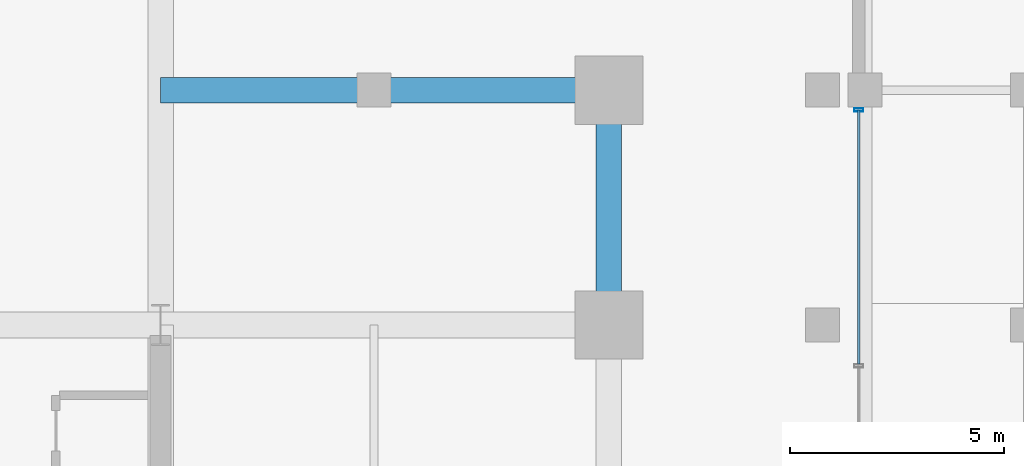
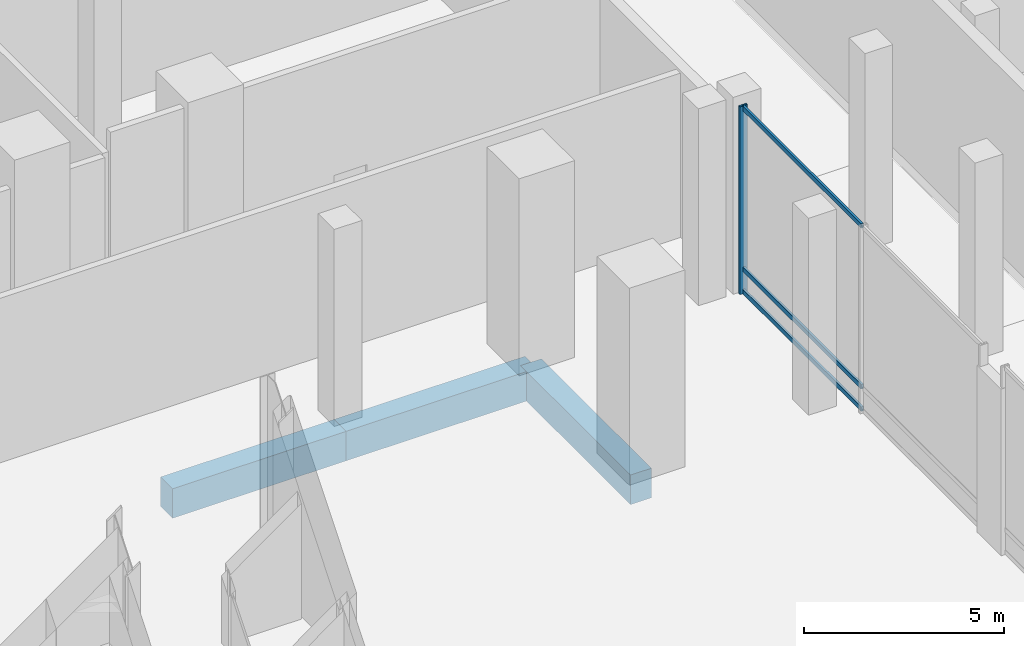
# One storey, part 18 of 34: 4 members, 3 beams, 1 element without a shape of its own.
"""IFC4 building model written with IfcOpenShell, lengths in metres."""

import ifcopenshell
import ifcopenshell.guid

model = None  # the IFC model being written
_history = None  # IfcOwnerHistory: only IFC2X3 demands one
_inside = {}  # id of a spatial element -> (the spatial element, [elements in it])
_under = {}  # id of a project, library or spatial element -> (it, [spatial elements below it])
_declared = {}  # id of a project -> (the project, [libraries it declares])
_typed = {}  # id of a type object -> (the type object, [elements of that type])
_made_of = {}  # id of a material, layer set ... -> (it, [elements and type objects made of it])


def new_model(schema):
    """Start an empty IFC model of exactly this schema.

    Asked for "IFC4X3", IfcOpenShell would pick the latest addendum, in which some entities
    have other attributes; the version numbers below select the first issue.
    IFC2X3 requires an IfcOwnerHistory on every rooted entity: one is made here for all.
    """
    global model, _history
    if schema == "IFC4X3":
        model = ifcopenshell.file(schema_version=(4, 3, 0, 0))
    else:
        model = ifcopenshell.file(schema=schema)
    _inside.clear()
    _under.clear()
    _declared.clear()
    _typed.clear()
    _made_of.clear()
    _history = None
    if model.schema == "IFC2X3":
        org = make("IfcOrganization", Name="unknown")
        user = make(
            "IfcPersonAndOrganization",
            ThePerson=make("IfcPerson", FamilyName="unknown"),
            TheOrganization=org,
        )
        app = make(
            "IfcApplication",
            ApplicationDeveloper=org,
            Version="unknown",
            ApplicationFullName="unknown",
            ApplicationIdentifier="unknown",
        )
        _history = make(
            "IfcOwnerHistory",
            OwningUser=user,
            OwningApplication=app,
            ChangeAction="ADDED",
            CreationDate=0,
        )
    return model


def make(cls, **values):
    """One entity of the class cls with the attributes given. An attribute that is None is left unset."""
    return model.create_entity(
        cls, **{name: value for name, value in values.items() if value is not None}
    )


def rooted(cls, **values):
    """An entity with a GlobalId (a new one), such as an element, a storey or a relation."""
    return make(cls, GlobalId=ifcopenshell.guid.new(), OwnerHistory=_history, **values)


def si_unit(unit_type, name, prefix=None):
    """IfcSIUnit, for example si_unit("LENGTHUNIT", "METRE", prefix="MILLI")."""
    return make("IfcSIUnit", UnitType=unit_type, Prefix=prefix, Name=name)


def assignment(units):
    """IfcUnitAssignment: the units of a project."""
    return None if units is None else make("IfcUnitAssignment", Units=units)


def point(xyz):
    """IfcCartesianPoint."""
    return None if xyz is None else make("IfcCartesianPoint", Coordinates=xyz)


def direction(xyz):
    """IfcDirection."""
    return None if xyz is None else make("IfcDirection", DirectionRatios=xyz)


def frame(location, z_axis=None, x_axis=None):
    """IfcAxis2Placement3D, a coordinate frame: its origin and axes. An axis left out is left unset."""
    return make(
        "IfcAxis2Placement3D",
        Location=point(location),
        Axis=direction(z_axis),
        RefDirection=direction(x_axis),
    )


def frame_2d(location, x_axis=None):
    """IfcAxis2Placement2D, a coordinate frame in the plane: its origin and x axis."""
    return make(
        "IfcAxis2Placement2D", Location=point(location), RefDirection=direction(x_axis)
    )


def origin():
    """The frame at (0, 0, 0) with its axes left unset."""
    return frame((0.0, 0.0, 0.0))


def origin_2d():
    """The frame at (0, 0) in the plane with its x axis left unset."""
    return frame_2d((0.0, 0.0))


def place(relative_to, where):
    """IfcLocalPlacement: puts the frame where relative to a parent placement (None: the world)."""
    return make(
        "IfcLocalPlacement", PlacementRelTo=relative_to, RelativePlacement=where
    )


def context(
    kind, dimensions, precision=None, world=None, true_north=None, identifier=None
):
    """IfcGeometricRepresentationContext, for example the 3D "Model" context."""
    return make(
        "IfcGeometricRepresentationContext",
        ContextIdentifier=identifier,
        ContextType=kind,
        CoordinateSpaceDimension=dimensions,
        Precision=precision,
        WorldCoordinateSystem=world,
        TrueNorth=true_north,
    )


def subcontext(parent, identifier, kind, view, scale=None):
    """IfcGeometricRepresentationSubContext, for example "Body" below "Model"."""
    return make(
        "IfcGeometricRepresentationSubContext",
        ContextIdentifier=identifier,
        ContextType=kind,
        ParentContext=parent,
        TargetScale=scale,
        TargetView=view,
    )


def project(units=None, contexts=None):
    """IfcProject with its units and contexts."""
    return rooted(
        "IfcProject",
        Name="project",
        RepresentationContexts=contexts,
        UnitsInContext=assignment(units),
    )


def spatial(cls, under=None, at=None, **own):
    """A site, building, storey or space (cls), placed at a placement, below another one or the project."""
    s = rooted(cls, ObjectPlacement=at, **own)
    if under is not None:
        _under.setdefault(under.id(), (under, []))[1].append(s)
    return s


def profile(cls, at=None, kind="AREA", **sizes):
    """A parametric profile (cls). Its sizes go by their IFC names, for example OverallWidth=200.0."""
    return make(cls, ProfileType=kind, Position=at, **sizes)


def rectangle(**sizes):
    """IfcRectangleProfileDef."""
    return profile("IfcRectangleProfileDef", **sizes)


def hollow_rectangle(**sizes):
    """IfcRectangleHollowProfileDef."""
    return profile("IfcRectangleHollowProfileDef", **sizes)


def extrude(swept, where, along, depth):
    """IfcExtrudedAreaSolid: the profile swept, set in the frame where, extruded along a direction by depth."""
    return make(
        "IfcExtrudedAreaSolid",
        SweptArea=swept,
        Position=where,
        ExtrudedDirection=direction(along),
        Depth=depth,
    )


def shape(context_of_items, identifier, shape_type, items):
    """IfcShapeRepresentation: the items that make up one representation, for example the "Body"."""
    return make(
        "IfcShapeRepresentation",
        ContextOfItems=context_of_items,
        RepresentationIdentifier=identifier,
        RepresentationType=shape_type,
        Items=items,
    )


def material(Name=None, Category=None):
    """IfcMaterial."""
    return make("IfcMaterial", Name=Name, Category=Category)


def layer(
    of_material, thickness, ventilated=None, Name=None, Category=None, Priority=None
):
    """IfcMaterialLayer: one layer of a wall or slab, of a material (None: an air gap)."""
    return make(
        "IfcMaterialLayer",
        Material=of_material,
        LayerThickness=thickness,
        IsVentilated=ventilated,
        Name=Name,
        Category=Category,
        Priority=Priority,
    )


def layer_set(layers, Name=None):
    """IfcMaterialLayerSet."""
    return make("IfcMaterialLayerSet", MaterialLayers=layers, LayerSetName=Name)


def material_profile(
    of_material, cross_section, Name=None, Category=None, Priority=None
):
    """IfcMaterialProfile: a cross section and its material."""
    return make(
        "IfcMaterialProfile",
        Name=Name,
        Material=of_material,
        Profile=cross_section,
        Priority=Priority,
        Category=Category,
    )


def profile_set(profiles, Name=None, composite=None):
    """IfcMaterialProfileSet."""
    return make(
        "IfcMaterialProfileSet",
        Name=Name,
        MaterialProfiles=profiles,
        CompositeProfile=composite,
    )


def made_of(thing, what):
    """Note that an element or type object is made of a material, layer set ...; save() writes the relation."""
    if what is not None:
        _made_of.setdefault(what.id(), (what, []))[1].append(thing)
    return thing


def type_object(cls, material=None, **own):
    """A type object (cls), such as IfcWallType, which elements share."""
    return made_of(rooted(cls, **own), material)


def element(
    cls,
    number,
    at=None,
    inside=None,
    cuts=None,
    type_object=None,
    material=None,
    context=None,
    identifier="Body",
    shape_type=None,
    held_by="IfcProductDefinitionShape",
    body=None,
    shapes=None,
    **own,
):
    """One element of the class cls, such as IfcWall. Its Tag is "e" and its number.

    at: its placement. inside: the storey or other place that contains it. cuts: it is an
    opening in that element (IfcRelVoidsElement). A single representation is given by context,
    identifier, shape_type and body (its items); several are given by shapes. held_by: the class
    of the entity that holds the representations. save() writes the other relations.
    """
    e = rooted(cls, Tag="e%d" % number, ObjectPlacement=at, **own)
    if body is not None:
        shapes = [shape(context, identifier, shape_type, body)]
    if shapes is not None:
        e.Representation = make(held_by, Representations=shapes)
    if inside is not None:
        _inside.setdefault(inside.id(), (inside, []))[1].append(e)
    if cuts is not None:
        rooted(
            "IfcRelVoidsElement", RelatingBuildingElement=cuts, RelatedOpeningElement=e
        )
    if type_object is not None:
        _typed.setdefault(type_object.id(), (type_object, []))[1].append(e)
    return made_of(e, material)


def aggregate(whole, parts):
    """IfcRelAggregates: a whole, such as a stair, and the parts it consists of."""
    return rooted("IfcRelAggregates", RelatingObject=whole, RelatedObjects=parts)


def save(model, path):
    """Write the relations noted so far, then the file.

    IfcRelAggregates (storeys below a building ...), IfcRelContainedInSpatialStructure (elements
    in a storey), IfcRelDefinesByType, IfcRelAssociatesMaterial and IfcRelDeclares: one each for
    every whole, place, type object, material and project.
    """
    for whole, parts in _under.values():
        aggregate(whole, parts)
    for where, things in _inside.values():
        rooted(
            "IfcRelContainedInSpatialStructure",
            RelatedElements=things,
            RelatingStructure=where,
        )
    for kind, things in _typed.values():
        rooted("IfcRelDefinesByType", RelatedObjects=things, RelatingType=kind)
    for what, things in _made_of.values():
        rooted("IfcRelAssociatesMaterial", RelatedObjects=things, RelatingMaterial=what)
    for by, libraries in _declared.values():
        rooted("IfcRelDeclares", RelatingContext=by, RelatedDefinitions=libraries)
    model.write(path)


model = new_model("IFC4")

# Units and contexts
model_context = context("Model", 3, precision=1e-05, world=origin(), true_north=direction((0.0, 1.0)))
body_context = subcontext(model_context, "Body", "Model", "MODEL_VIEW")
ifc_project = project(units=[si_unit("LENGTHUNIT", "METRE"), si_unit("AREAUNIT", "SQUARE_METRE"), si_unit("VOLUMEUNIT", "CUBIC_METRE"), si_unit("PLANEANGLEUNIT", "RADIAN"), si_unit("MASSUNIT", "GRAM", prefix="KILO")], contexts=[model_context])

# Site, building, storey
site_placement = place(None, origin())
site = spatial("IfcSite", under=ifc_project, at=site_placement, CompositionType="ELEMENT")
building_placement = place(site_placement, origin())
building = spatial("IfcBuilding", under=site, at=building_placement, Name="Barlavira Tower and Art Museum", CompositionType="ELEMENT")
storey_placement = place(building_placement, origin())
storey = spatial("IfcBuildingStorey", under=building, at=storey_placement, Name="L00", CompositionType="ELEMENT", Elevation=0.0)

# Curtain wall, members
ifc_material_1 = material(Name="Low-iron coastal laminated glass", Category="glass")
ifc_layer = layer(ifc_material_1, 0.219970703125, Name="Low-iron coastal laminated glass")
ifc_layer_set = layer_set([ifc_layer], Name="Low-iron coastal laminated glass")
curtain_wall_type = type_object("IfcCurtainWallType", Name="Double-Height Podium Arcade Storefront Curtain Wall", PredefinedType="NOTDEFINED", material=ifc_layer_set)
curtain_wall_placement = place(storey_placement, origin())
curtain_wall = element("IfcCurtainWall", 1, at=curtain_wall_placement, inside=storey, type_object=curtain_wall_type, Name="L00 Curtain Wall CW5-L00-EN", PredefinedType="NOTDEFINED")
ifc_material_2 = material(Name="Pale anodised aluminium", Category="aluminium")
ifc_material_profile_1 = material_profile(ifc_material_2, hollow_rectangle(XDim=0.074951171875, YDim=0.219970703125, WallThickness=0.0048828125, at=origin_2d()), Name="ALU-MULL 75x220x5")
ifc_profile_set_1 = profile_set([ifc_material_profile_1], Name="Pale anodised aluminium")
member_type_1 = type_object("IfcMemberType", Name="Curtain Wall Heavy Pale-Metal Mullion 75x220", PredefinedType="MULLION", material=ifc_profile_set_1)
member_1_placement = place(storey_placement, frame((22.85009765625, 12.534912109375, 0.0), z_axis=(0.0, 0.0, 1.0), x_axis=(0.0, 1.0, 0.0)))
member_1 = element("IfcMember", 2, at=member_1_placement, type_object=member_type_1, Name="CW5-L00-EN Mullion 2", PredefinedType="MULLION", context=body_context, shape_type="SweptSolid", body=[
    extrude(hollow_rectangle(XDim=0.074951171875, YDim=0.219970703125, WallThickness=0.0048828125, at=origin_2d()), origin(), (0.0, 0.0, 1.0), 5.719970703125),
])
ifc_material_profile_2 = material_profile(ifc_material_2, hollow_rectangle(XDim=0.06494140625, YDim=0.139892578125, WallThickness=0.00390625, at=origin_2d()), Name="ALU-TRAN 65x140x4")
ifc_profile_set_2 = profile_set([ifc_material_profile_2], Name="Pale anodised aluminium")
member_type_2 = type_object("IfcMemberType", Name="Curtain Wall Pale-Metal Transom 65x140", PredefinedType="USERDEFINED", material=ifc_profile_set_2)
member_2_placement = place(storey_placement, frame((22.85009765625, 6.5849609375, 0.070068359375), z_axis=(0.0, 1.0, 0.0), x_axis=(-1.0, 0.0, 0.0)))
member_2 = element("IfcMember", 3, at=member_2_placement, type_object=member_type_2, Name="CW5-L00-EN Transom 1.1", ObjectType="TRANSOM", PredefinedType="USERDEFINED", context=body_context, shape_type="SweptSolid", body=[
    extrude(hollow_rectangle(XDim=0.06494140625, YDim=0.139892578125, WallThickness=0.00390625, at=origin_2d()), origin(), (0.0, 0.0, 1.0), 5.949951171875),
])
member_3_placement = place(storey_placement, frame((22.85009765625, 6.5849609375, 0.75), z_axis=(0.0, 1.0, 0.0), x_axis=(-1.0, 0.0, 0.0)))
member_3 = element("IfcMember", 4, at=member_3_placement, type_object=member_type_2, Name="CW5-L00-EN Transom 1.2", ObjectType="TRANSOM", PredefinedType="USERDEFINED", context=body_context, shape_type="SweptSolid", body=[
    extrude(hollow_rectangle(XDim=0.06494140625, YDim=0.139892578125, WallThickness=0.00390625, at=origin_2d()), origin(), (0.0, 0.0, 1.0), 5.949951171875),
])
member_4_placement = place(storey_placement, frame((22.85009765625, 6.5849609375, 5.64990234375), z_axis=(0.0, 1.0, 0.0), x_axis=(-1.0, 0.0, 0.0)))
member_4 = element("IfcMember", 5, at=member_4_placement, type_object=member_type_2, Name="CW5-L00-EN Transom 1.3", ObjectType="TRANSOM", PredefinedType="USERDEFINED", context=body_context, shape_type="SweptSolid", body=[
    extrude(hollow_rectangle(XDim=0.06494140625, YDim=0.139892578125, WallThickness=0.00390625, at=origin_2d()), origin(), (0.0, 0.0, 1.0), 5.949951171875),
])
aggregate(curtain_wall, [member_1, member_2, member_3, member_4])

# Beams
ifc_material_3 = material(Name="Concrete C50", Category="concrete")
ifc_material_profile_3 = material_profile(ifc_material_3, rectangle(XDim=0.60009765625, YDim=0.89990234375, at=origin_2d()), Name="RC-BM 600x900")
ifc_profile_set_3 = profile_set([ifc_material_profile_3], Name="Concrete C50")
beam_type = type_object("IfcBeamType", Name="Substructure RC Girder 600x900 Concrete C50", PredefinedType="BEAM", material=ifc_profile_set_3)
beam_1_placement = place(storey_placement, frame((17.0, 7.5, -0.800048828125), z_axis=(0.0, 1.0, 0.0), x_axis=(-1.0, 0.0, 0.0)))
element("IfcBeam", 6, at=beam_1_placement, inside=storey, type_object=beam_type, Name="L00 Girder M-E3", PredefinedType="BEAM", context=body_context, shape_type="SweptSolid", body=[
    extrude(rectangle(XDim=0.60009765625, YDim=0.89990234375, at=origin_2d()), origin(), (0.0, 0.0, 1.0), 5.5),
])
beam_2_placement = place(storey_placement, frame((6.5, 13.0, -0.800048828125), z_axis=(1.0, 0.0, 0.0), x_axis=(0.0, 1.0, 0.0)))
element("IfcBeam", 7, at=beam_2_placement, inside=storey, type_object=beam_type, Name="L00 Girder I-N3", PredefinedType="BEAM", context=body_context, shape_type="SweptSolid", body=[
    extrude(rectangle(XDim=0.60009765625, YDim=0.89990234375, at=origin_2d()), origin(), (0.0, 0.0, 1.0), 5.0),
])
beam_3_placement = place(storey_placement, frame((11.5, 13.0, -0.800048828125), z_axis=(1.0, 0.0, 0.0), x_axis=(0.0, 1.0, 0.0)))
element("IfcBeam", 8, at=beam_3_placement, inside=storey, type_object=beam_type, Name="L00 Girder I-N4", PredefinedType="BEAM", context=body_context, shape_type="SweptSolid", body=[
    extrude(rectangle(XDim=0.60009765625, YDim=0.89990234375, at=origin_2d()), origin(), (0.0, 0.0, 1.0), 5.5),
])

save(model, "model.ifc")
